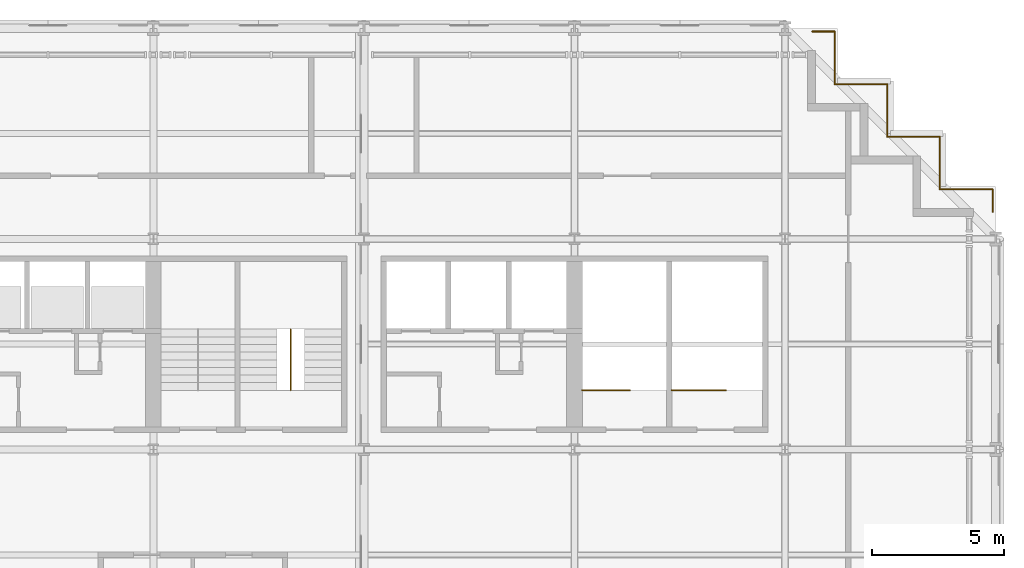
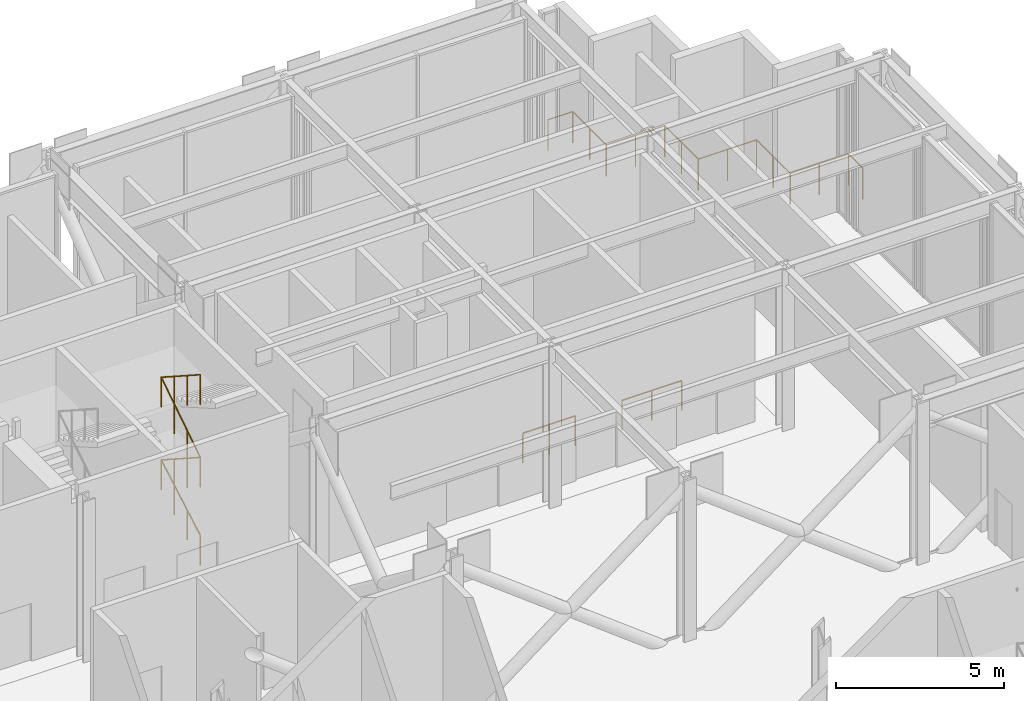
# One storey, part 24 of 25: 11 railings.
"""IFC4 building model written with IfcOpenShell, lengths in metres."""

from ifc_helpers import new_model, si_unit, direction, frame, origin, origin_2d, place, context, subcontext, project, spatial, circle, extrude, material, type_object, element, save


model = new_model("IFC4")

# Units and contexts
model_context = context("Model", 3, precision=1e-05, world=origin(), true_north=direction((0.0, 1.0)))
body_context = subcontext(model_context, "Body", "Model", "MODEL_VIEW")
ifc_project = project(units=[si_unit("LENGTHUNIT", "METRE"), si_unit("AREAUNIT", "SQUARE_METRE"), si_unit("VOLUMEUNIT", "CUBIC_METRE"), si_unit("PLANEANGLEUNIT", "RADIAN"), si_unit("MASSUNIT", "GRAM", prefix="KILO")], contexts=[model_context])

# Site, building, storey
site_placement = place(None, origin())
site = spatial("IfcSite", under=ifc_project, at=site_placement, CompositionType="ELEMENT")
building_placement = place(site_placement, origin())
building = spatial("IfcBuilding", under=site, at=building_placement, Name="Immortelle Media Tower", CompositionType="ELEMENT")
storey_placement = place(building_placement, frame((0.0, 0.0, 114.0)))
storey = spatial("IfcBuildingStorey", under=building, at=storey_placement, Name="L22", CompositionType="ELEMENT", Elevation=114.0)

# Railings
ifc_material = material(Name="Stainless steel AISI 316", Category="steel")
railing_type_1 = type_object("IfcRailingType", Name="Plant ledge guard 1150", PredefinedType="GUARDRAIL", material=ifc_material)
railing_1_placement = place(storey_placement, frame((47.8798828125, 41.8798828125, 0.0)))
element("IfcRailing", 1, at=railing_1_placement, inside=storey, type_object=railing_type_1, Name="Plant ledge guard L22-17", PredefinedType="GUARDRAIL", context=body_context, shape_type="SweptSolid", body=[
    extrude(circle(Radius=0.02001953125, at=origin_2d()), frame((0.0, 0.0, 1.1298828125), z_axis=(-1.0, 0.0, 0.0), x_axis=(0.0, -1.0, 0.0)), (0.0, 0.0, 1.0), 2.0),
    extrude(circle(Radius=0.02001953125, at=origin_2d()), origin(), (0.0, 0.0, 1.0), 1.10986328125),
    extrude(circle(Radius=0.02001953125, at=origin_2d()), frame((-1.0, 0.0, 0.0)), (0.0, 0.0, 1.0), 1.10986328125),
    extrude(circle(Radius=0.02001953125, at=origin_2d()), frame((-2.0, 0.0, 0.0)), (0.0, 0.0, 1.0), 1.10986328125),
])
railing_2_placement = place(storey_placement, frame((47.8798828125, 41.030029296875, 0.0)))
element("IfcRailing", 2, at=railing_2_placement, inside=storey, type_object=railing_type_1, Name="Plant ledge guard L22-18", PredefinedType="GUARDRAIL", context=body_context, shape_type="SweptSolid", body=[
    extrude(circle(Radius=0.02001953125, at=origin_2d()), frame((0.0, 0.0, 1.1298828125), z_axis=(0.0, 1.0, 0.0), x_axis=(-1.0, 0.0, 0.0)), (0.0, 0.0, 1.0), 0.849853515625),
    extrude(circle(Radius=0.02001953125, at=origin_2d()), origin(), (0.0, 0.0, 1.0), 1.10986328125),
    extrude(circle(Radius=0.02001953125, at=origin_2d()), frame((0.0, 0.849853515625, 0.0)), (0.0, 0.0, 1.0), 1.10986328125),
])
railing_3_placement = place(storey_placement, frame((45.8798828125, 41.8798828125, 0.0)))
element("IfcRailing", 3, at=railing_3_placement, inside=storey, type_object=railing_type_1, Name="Plant ledge guard L22-19", PredefinedType="GUARDRAIL", context=body_context, shape_type="SweptSolid", body=[
    extrude(circle(Radius=0.02001953125, at=origin_2d()), frame((0.0, 0.0, 1.1298828125), z_axis=(0.0, 1.0, 0.0), x_axis=(-1.0, 0.0, 0.0)), (0.0, 0.0, 1.0), 2.0),
    extrude(circle(Radius=0.02001953125, at=origin_2d()), origin(), (0.0, 0.0, 1.0), 1.10986328125),
    extrude(circle(Radius=0.02001953125, at=origin_2d()), frame((0.0, 1.0, 0.0)), (0.0, 0.0, 1.0), 1.10986328125),
    extrude(circle(Radius=0.02001953125, at=origin_2d()), frame((0.0, 2.0, 0.0)), (0.0, 0.0, 1.0), 1.10986328125),
])
railing_4_placement = place(storey_placement, frame((45.8798828125, 43.8798828125, 0.0)))
element("IfcRailing", 4, at=railing_4_placement, inside=storey, type_object=railing_type_1, Name="Plant ledge guard L22-20", PredefinedType="GUARDRAIL", context=body_context, shape_type="SweptSolid", body=[
    extrude(circle(Radius=0.02001953125, at=origin_2d()), frame((0.0, 0.0, 1.1298828125), z_axis=(-1.0, 0.0, 0.0), x_axis=(0.0, -1.0, 0.0)), (0.0, 0.0, 1.0), 2.0),
    extrude(circle(Radius=0.02001953125, at=origin_2d()), origin(), (0.0, 0.0, 1.0), 1.10986328125),
    extrude(circle(Radius=0.02001953125, at=origin_2d()), frame((-1.0, 0.0, 0.0)), (0.0, 0.0, 1.0), 1.10986328125),
    extrude(circle(Radius=0.02001953125, at=origin_2d()), frame((-2.0, 0.0, 0.0)), (0.0, 0.0, 1.0), 1.10986328125),
])
railing_5_placement = place(storey_placement, frame((43.8798828125, 43.8798828125, 0.0)))
element("IfcRailing", 5, at=railing_5_placement, inside=storey, type_object=railing_type_1, Name="Plant ledge guard L22-21", PredefinedType="GUARDRAIL", context=body_context, shape_type="SweptSolid", body=[
    extrude(circle(Radius=0.02001953125, at=origin_2d()), frame((0.0, 0.0, 1.1298828125), z_axis=(0.0, 1.0, 0.0), x_axis=(-1.0, 0.0, 0.0)), (0.0, 0.0, 1.0), 2.0),
    extrude(circle(Radius=0.02001953125, at=origin_2d()), origin(), (0.0, 0.0, 1.0), 1.10986328125),
    extrude(circle(Radius=0.02001953125, at=origin_2d()), frame((0.0, 1.0, 0.0)), (0.0, 0.0, 1.0), 1.10986328125),
    extrude(circle(Radius=0.02001953125, at=origin_2d()), frame((0.0, 2.0, 0.0)), (0.0, 0.0, 1.0), 1.10986328125),
])
railing_6_placement = place(storey_placement, frame((43.8798828125, 45.8798828125, 0.0)))
element("IfcRailing", 6, at=railing_6_placement, inside=storey, type_object=railing_type_1, Name="Plant ledge guard L22-22", PredefinedType="GUARDRAIL", context=body_context, shape_type="SweptSolid", body=[
    extrude(circle(Radius=0.02001953125, at=origin_2d()), frame((0.0, 0.0, 1.1298828125), z_axis=(-1.0, 0.0, 0.0), x_axis=(0.0, -1.0, 0.0)), (0.0, 0.0, 1.0), 2.0),
    extrude(circle(Radius=0.02001953125, at=origin_2d()), origin(), (0.0, 0.0, 1.0), 1.10986328125),
    extrude(circle(Radius=0.02001953125, at=origin_2d()), frame((-1.0, 0.0, 0.0)), (0.0, 0.0, 1.0), 1.10986328125),
    extrude(circle(Radius=0.02001953125, at=origin_2d()), frame((-2.0, 0.0, 0.0)), (0.0, 0.0, 1.0), 1.10986328125),
])
railing_7_placement = place(storey_placement, frame((41.8798828125, 45.8798828125, 0.0)))
element("IfcRailing", 7, at=railing_7_placement, inside=storey, type_object=railing_type_1, Name="Plant ledge guard L22-23", PredefinedType="GUARDRAIL", context=body_context, shape_type="SweptSolid", body=[
    extrude(circle(Radius=0.02001953125, at=origin_2d()), frame((0.0, 0.0, 1.1298828125), z_axis=(0.0, 1.0, 0.0), x_axis=(-1.0, 0.0, 0.0)), (0.0, 0.0, 1.0), 2.0),
    extrude(circle(Radius=0.02001953125, at=origin_2d()), origin(), (0.0, 0.0, 1.0), 1.10986328125),
    extrude(circle(Radius=0.02001953125, at=origin_2d()), frame((0.0, 1.0, 0.0)), (0.0, 0.0, 1.0), 1.10986328125),
    extrude(circle(Radius=0.02001953125, at=origin_2d()), frame((0.0, 2.0, 0.0)), (0.0, 0.0, 1.0), 1.10986328125),
])
railing_8_placement = place(storey_placement, frame((41.8798828125, 47.8798828125, 0.0)))
element("IfcRailing", 8, at=railing_8_placement, inside=storey, type_object=railing_type_1, Name="Plant ledge guard L22-24", PredefinedType="GUARDRAIL", context=body_context, shape_type="SweptSolid", body=[
    extrude(circle(Radius=0.02001953125, at=origin_2d()), frame((0.0, 0.0, 1.1298828125), z_axis=(-1.0, 0.0, 0.0), x_axis=(0.0, -1.0, 0.0)), (0.0, 0.0, 1.0), 0.849853515625),
    extrude(circle(Radius=0.02001953125, at=origin_2d()), origin(), (0.0, 0.0, 1.0), 1.10986328125),
    extrude(circle(Radius=0.02001953125, at=origin_2d()), frame((-0.849853515625, 0.0, 0.0)), (0.0, 0.0, 1.0), 1.10986328125),
])
railing_type_2 = type_object("IfcRailingType", Name="Stair guard 1100", PredefinedType="GUARDRAIL", material=ifc_material)
railing_9_placement = place(storey_placement, frame((21.22509765625, 34.25, 0.166748046875)))
element("IfcRailing", 9, at=railing_9_placement, inside=storey, type_object=railing_type_2, Name="Stair guard NW2", PredefinedType="GUARDRAIL", context=body_context, shape_type="SweptSolid", body=[
    extrude(circle(Radius=0.02392578125, at=origin_2d()), frame((0.0, 0.0, 1.076171875), z_axis=(0.0, 0.867033425039, 0.498249977285), x_axis=(-1.0, 0.0, 0.0)), (0.0, 0.0, 1.0), 2.67578125),
    extrude(circle(Radius=0.02392578125, at=origin_2d()), frame((0.0, 2.320068359375, 2.4091796875), z_axis=(0.0, -0.839771624056, 0.54293979356), x_axis=(1.0, 0.0, 0.0)), (0.0, 0.0, 1.0), 2.7626953125),
    extrude(circle(Radius=0.02392578125, at=origin_2d()), frame((0.0, 0.0, 3.9091796875), z_axis=(0.0, 0.839771624056, 0.54293979356), x_axis=(-1.0, 0.0, 0.0)), (0.0, 0.0, 1.0), 2.7626953125),
    extrude(circle(Radius=0.02392578125, at=origin_2d()), frame((0.0, 2.320068359375, 5.4091796875), z_axis=(0.0, -0.839771624056, 0.54293979356), x_axis=(1.0, 0.0, 0.0)), (0.0, 0.0, 1.0), 2.7626953125),
    extrude(circle(Radius=0.02099609375, at=origin_2d()), origin(), (0.0, 0.0, 1.0), 1.052001953125),
    extrude(circle(Radius=0.02099609375, at=origin_2d()), frame((0.0, 0.7734375, 0.4443359375)), (0.0, 0.0, 1.0), 1.052001953125),
    extrude(circle(Radius=0.02099609375, at=origin_2d()), frame((0.0, 1.546630859375, 0.888916015625)), (0.0, 0.0, 1.0), 1.052001953125),
    extrude(circle(Radius=0.02099609375, at=origin_2d()), frame((0.0, 2.320068359375, 1.333251953125)), (0.0, 0.0, 1.0), 1.052001953125),
    extrude(circle(Radius=0.02099609375, at=origin_2d()), frame((0.0, 1.546630859375, 1.833251953125)), (0.0, 0.0, 1.0), 1.052001953125),
    extrude(circle(Radius=0.02099609375, at=origin_2d()), frame((0.0, 0.7734375, 2.333251953125)), (0.0, 0.0, 1.0), 1.052001953125),
    extrude(circle(Radius=0.02099609375, at=origin_2d()), frame((0.0, 0.0, 2.833251953125)), (0.0, 0.0, 1.0), 1.052001953125),
    extrude(circle(Radius=0.02099609375, at=origin_2d()), frame((0.0, 0.7734375, 3.333251953125)), (0.0, 0.0, 1.0), 1.052001953125),
    extrude(circle(Radius=0.02099609375, at=origin_2d()), frame((0.0, 1.546630859375, 3.833251953125)), (0.0, 0.0, 1.0), 1.052001953125),
    extrude(circle(Radius=0.02099609375, at=origin_2d()), frame((0.0, 2.320068359375, 4.333251953125)), (0.0, 0.0, 1.0), 1.052001953125),
    extrude(circle(Radius=0.02099609375, at=origin_2d()), frame((0.0, 1.546630859375, 4.833251953125)), (0.0, 0.0, 1.0), 1.052001953125),
    extrude(circle(Radius=0.02099609375, at=origin_2d()), frame((0.0, 0.7734375, 5.333251953125)), (0.0, 0.0, 1.0), 1.052001953125),
    extrude(circle(Radius=0.02099609375, at=origin_2d()), frame((0.0, 0.0, 5.833251953125)), (0.0, 0.0, 1.0), 1.052001953125),
])
railing_10_placement = place(storey_placement, frame((32.300048828125, 34.25, 0.0)))
element("IfcRailing", 10, at=railing_10_placement, inside=storey, type_object=railing_type_2, Name="Stair guard NE1", PredefinedType="GUARDRAIL", context=body_context, shape_type="SweptSolid", body=[
    extrude(circle(Radius=0.02392578125, at=origin_2d()), frame((0.0, 0.0, 1.076171875), z_axis=(1.0, 0.0, 0.0), x_axis=(0.0, 1.0, 0.0)), (0.0, 0.0, 1.0), 1.800048828125),
    extrude(circle(Radius=0.02099609375, at=origin_2d()), origin(), (0.0, 0.0, 1.0), 1.052001953125),
    extrude(circle(Radius=0.02099609375, at=origin_2d()), frame((0.89990234375, 0.0, 0.0)), (0.0, 0.0, 1.0), 1.052001953125),
    extrude(circle(Radius=0.02099609375, at=origin_2d()), frame((1.800048828125, 0.0, 0.0)), (0.0, 0.0, 1.0), 1.052001953125),
])
railing_11_placement = place(storey_placement, frame((35.699951171875, 34.25, 0.0)))
element("IfcRailing", 11, at=railing_11_placement, inside=storey, type_object=railing_type_2, Name="Stair guard NE2", PredefinedType="GUARDRAIL", context=body_context, shape_type="SweptSolid", body=[
    extrude(circle(Radius=0.02392578125, at=origin_2d()), frame((0.0, 0.0, 1.076171875), z_axis=(1.0, 0.0, 0.0), x_axis=(0.0, 1.0, 0.0)), (0.0, 0.0, 1.0), 2.050048828125),
    extrude(circle(Radius=0.02099609375, at=origin_2d()), origin(), (0.0, 0.0, 1.0), 1.052001953125),
    extrude(circle(Radius=0.02099609375, at=origin_2d()), frame((1.02490234375, 0.0, 0.0)), (0.0, 0.0, 1.0), 1.052001953125),
    extrude(circle(Radius=0.02099609375, at=origin_2d()), frame((2.050048828125, 0.0, 0.0)), (0.0, 0.0, 1.0), 1.052001953125),
])

save(model, "model.ifc")
